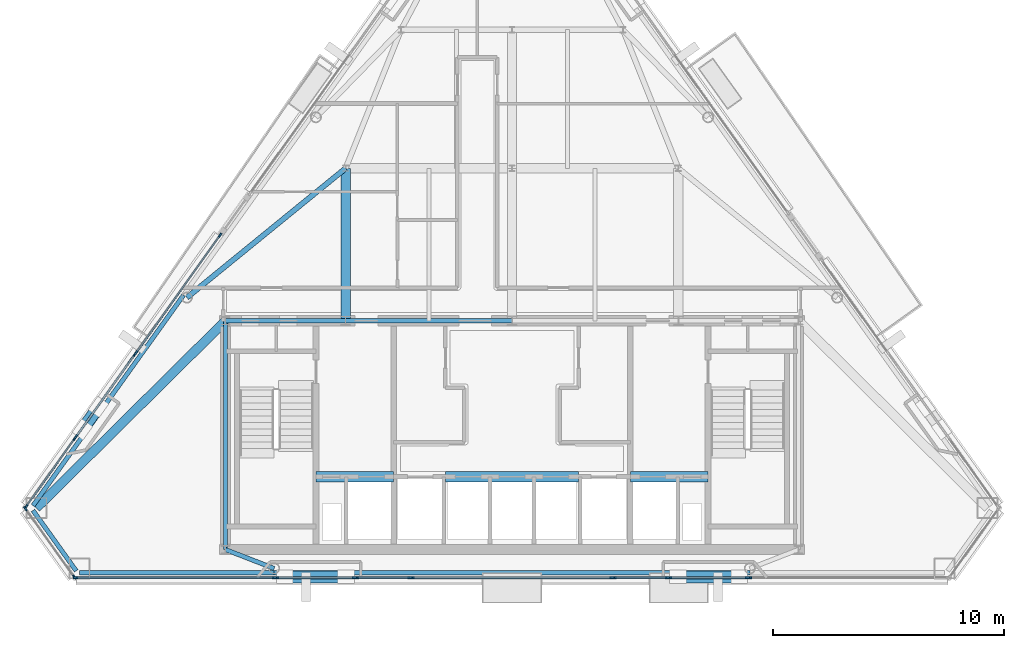
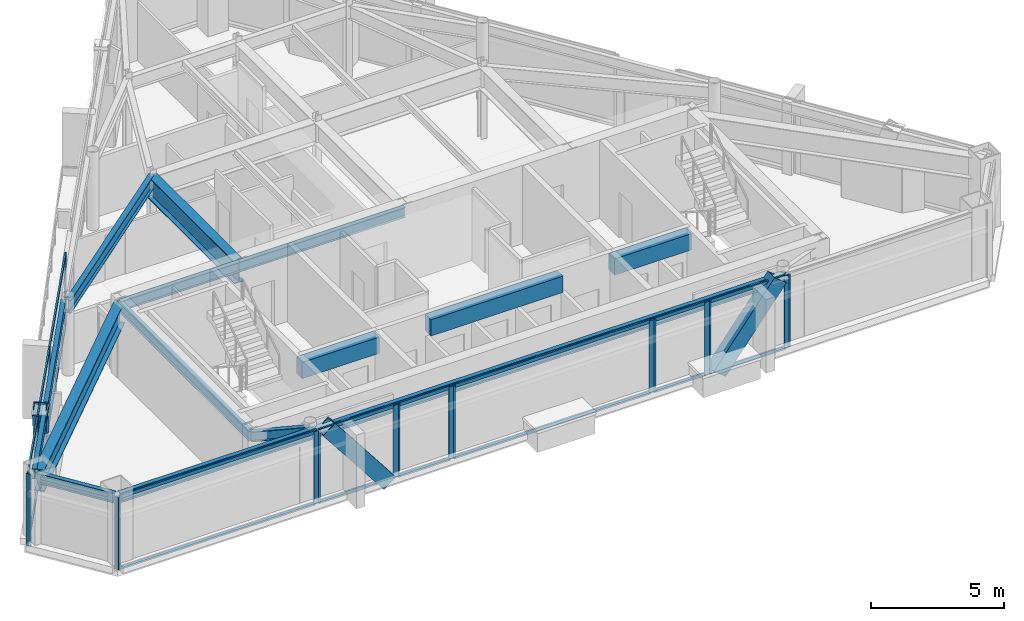
# One storey, part 4 of 12: 42 members, 14 beams, 11 elements without a shape of their own.
"""IFC4 building model written with IfcOpenShell, lengths in metres."""

from ifc_helpers import new_model, si_unit, direction, frame, origin, origin_2d, place, context, subcontext, project, spatial, rectangle, hollow_rectangle, i_section, extrude, material, layer, layer_set, material_profile, profile_set, type_object, element, aggregate, save


model = new_model("IFC4")

# Units and contexts
model_context = context("Model", 3, precision=1e-05, world=origin(), true_north=direction((0.0, 1.0)))
body_context = subcontext(model_context, "Body", "Model", "MODEL_VIEW")
ifc_project = project(units=[si_unit("LENGTHUNIT", "METRE"), si_unit("AREAUNIT", "SQUARE_METRE"), si_unit("VOLUMEUNIT", "CUBIC_METRE"), si_unit("PLANEANGLEUNIT", "RADIAN"), si_unit("MASSUNIT", "GRAM", prefix="KILO")], contexts=[model_context])

# Site, building, storey
site_placement = place(None, origin())
site = spatial("IfcSite", under=ifc_project, at=site_placement, CompositionType="ELEMENT")
building_placement = place(site_placement, origin())
building = spatial("IfcBuilding", under=site, at=building_placement, Name="Talgorran Terracotta Tower", CompositionType="ELEMENT")
storey_placement = place(building_placement, frame((0.0, 0.0, 270.60009765625)))
storey = spatial("IfcBuildingStorey", under=building, at=storey_placement, Name="L71", CompositionType="ELEMENT", Elevation=270.60009765625)

# Beams
ifc_material_1 = material(Name="Steel Grade 350 (350L0)", Category="steel")
ifc_material_profile_1 = material_profile(ifc_material_1, i_section(OverallWidth=0.39990234375, OverallDepth=1.0, WebThickness=0.01611328125, FlangeThickness=0.031005859375, at=origin_2d()), Name="1000WB296")
ifc_profile_set_1 = profile_set([ifc_material_profile_1], Name="Steel Grade 350 (350L0)")
beam_type_1 = type_object("IfcBeamType", Name="BM_1000WB296", PredefinedType="BEAM", material=ifc_profile_set_1)
beam_1_placement = place(storey_placement, frame((-7.199951171875, -4.199951171875, 2.844970703125), z_axis=(0.0, 1.0, 0.0), x_axis=(-1.0, 0.0, 0.0)))
element("IfcBeam", 1, at=beam_1_placement, inside=storey, type_object=beam_type_1, Name="L71 Floor Girder G01", PredefinedType="BEAM", context=body_context, shape_type="SweptSolid", body=[
    extrude(i_section(OverallWidth=0.39990234375, OverallDepth=1.0, WebThickness=0.01611328125, FlangeThickness=0.031005859375, at=origin_2d()), origin(), (0.0, 0.0, 1.0), 6.599853515625),
])
beam_2_placement = place(storey_placement, frame((-12.39990234375, -4.199951171875, 2.844970703125), z_axis=(-0.710637755688, -0.703558085868, 0.0), x_axis=(0.703558085868, -0.710637755688, 0.0)))
element("IfcBeam", 2, at=beam_2_placement, inside=storey, type_object=beam_type_1, Name="L71 Floor Girder G17", PredefinedType="BEAM", context=body_context, shape_type="SweptSolid", body=[
    extrude(i_section(OverallWidth=0.39990234375, OverallDepth=1.0, WebThickness=0.01611328125, FlangeThickness=0.031005859375, at=origin_2d()), origin(), (0.0, 0.0, 1.0), 11.517822265625),
])
ifc_material_2 = material(Name="Steel S355 (300PLUS)", Category="steel")
ifc_material_profile_2 = material_profile(ifc_material_2, i_section(OverallWidth=0.22802734375, OverallDepth=0.60205078125, WebThickness=0.010498046875, FlangeThickness=0.014892578125, at=origin_2d()), Name="610UB101")
ifc_profile_set_2 = profile_set([ifc_material_profile_2], Name="Steel S355 (300PLUS)")
beam_type_2 = type_object("IfcBeamType", Name="BM_610UB101", PredefinedType="BEAM", material=ifc_profile_set_2)
beam_3_placement = place(storey_placement, frame((-7.199951171875, 2.39990234375, 3.0439453125), z_axis=(-0.775393850299, -0.631477930667, 0.0), x_axis=(0.631477930667, -0.775393850299, 0.0)))
element("IfcBeam", 3, at=beam_3_placement, inside=storey, type_object=beam_type_2, Name="L71 Floor Girder G06", PredefinedType="BEAM", context=body_context, shape_type="SweptSolid", body=[
    extrude(i_section(OverallWidth=0.22802734375, OverallDepth=0.60205078125, WebThickness=0.010498046875, FlangeThickness=0.014892578125, at=origin_2d()), origin(), (0.0, 0.0, 1.0), 8.862060546875),
])
ifc_material_3 = material(Name="Concrete C50/60", Category="concrete")
ifc_material_profile_3 = material_profile(ifc_material_3, rectangle(XDim=0.449951171875, YDim=0.75, at=origin_2d()), Name="RCCB450X750")
ifc_profile_set_3 = profile_set([ifc_material_profile_3], Name="Concrete C50/60")
beam_type_3 = type_object("IfcBeamType", Name="BM_CB_450X750", PredefinedType="LINTEL", material=ifc_profile_set_3)
beam_4_placement = place(storey_placement, frame((-8.47998046875, -10.949951171875, 2.969970703125), z_axis=(1.0, 0.0, 0.0), x_axis=(0.0, 1.0, 0.0)))
element("IfcBeam", 4, at=beam_4_placement, inside=storey, type_object=beam_type_3, Name="L71 Core Shear-Wall Coupling Beam CB1", PredefinedType="LINTEL", context=body_context, shape_type="SweptSolid", body=[
    extrude(rectangle(XDim=0.449951171875, YDim=0.75, at=origin_2d()), origin(), (0.0, 0.0, 1.0), 3.35986328125),
])
beam_5_placement = place(storey_placement, frame((-2.8798828125, -10.949951171875, 2.969970703125), z_axis=(1.0, 0.0, 0.0), x_axis=(0.0, 1.0, 0.0)))
element("IfcBeam", 5, at=beam_5_placement, inside=storey, type_object=beam_type_3, Name="L71 Core Shear-Wall Coupling Beam CB2", PredefinedType="LINTEL", context=body_context, shape_type="SweptSolid", body=[
    extrude(rectangle(XDim=0.449951171875, YDim=0.75, at=origin_2d()), origin(), (0.0, 0.0, 1.0), 5.759765625),
])
beam_6_placement = place(storey_placement, frame((5.1201171875, -10.949951171875, 2.969970703125), z_axis=(1.0, 0.0, 0.0), x_axis=(0.0, 1.0, 0.0)))
element("IfcBeam", 6, at=beam_6_placement, inside=storey, type_object=beam_type_3, Name="L71 Core Shear-Wall Coupling Beam CB3", PredefinedType="LINTEL", context=body_context, shape_type="SweptSolid", body=[
    extrude(rectangle(XDim=0.449951171875, YDim=0.75, at=origin_2d()), origin(), (0.0, 0.0, 1.0), 3.35986328125),
])
ifc_material_profile_4 = material_profile(ifc_material_2, i_section(OverallWidth=0.18994140625, OverallDepth=0.45703125, WebThickness=0.009033203125, FlangeThickness=0.014404296875, at=origin_2d()), Name="460UB74.6")
ifc_profile_set_4 = profile_set([ifc_material_profile_4], Name="Steel S355 (300PLUS)")
beam_type_4 = type_object("IfcBeamType", Name="BM_SP_460UB74", PredefinedType="SPANDREL", material=ifc_profile_set_4)
beam_7_placement = place(storey_placement, frame((-20.731201171875, -12.408203125, 3.116455078125), z_axis=(0.581733647308, -0.8133793479, 0.0), x_axis=(0.8133793479, 0.581733647308, 0.0)))
element("IfcBeam", 7, at=beam_7_placement, inside=storey, type_object=beam_type_4, Name="L71 Perimeter Spandrel Beam MC1-MC2", PredefinedType="SPANDREL", context=body_context, shape_type="SweptSolid", body=[
    extrude(i_section(OverallWidth=0.18994140625, OverallDepth=0.45703125, WebThickness=0.009033203125, FlangeThickness=0.014404296875, at=origin_2d()), origin(), (0.0, 0.0, 1.0), 3.215576171875),
])
beam_8_placement = place(storey_placement, frame((-18.71435546875, -15.098876953125, 3.116455078125), z_axis=(1.0, 0.0, 0.0), x_axis=(0.0, 1.0, 0.0)))
element("IfcBeam", 8, at=beam_8_placement, inside=storey, type_object=beam_type_4, Name="L71 Perimeter Spandrel Beam MC2-FC1", PredefinedType="SPANDREL", context=body_context, shape_type="SweptSolid", body=[
    extrude(i_section(OverallWidth=0.18994140625, OverallDepth=0.45703125, WebThickness=0.009033203125, FlangeThickness=0.014404296875, at=origin_2d()), origin(), (0.0, 0.0, 1.0), 8.42138671875),
])
beam_9_placement = place(storey_placement, frame((-10.29296875, -15.098876953125, 3.116455078125), z_axis=(1.0, 0.0, 0.0), x_axis=(0.0, 1.0, 0.0)))
element("IfcBeam", 9, at=beam_9_placement, inside=storey, type_object=beam_type_4, Name="L71 Perimeter Spandrel Beam FC1-FC2", PredefinedType="SPANDREL", context=body_context, shape_type="SweptSolid", body=[
    extrude(i_section(OverallWidth=0.18994140625, OverallDepth=0.45703125, WebThickness=0.009033203125, FlangeThickness=0.014404296875, at=origin_2d()), origin(), (0.0, 0.0, 1.0), 20.5859375),
])
beam_10_placement = place(storey_placement, frame((-14.218017578125, -3.091796875, 3.116455078125), z_axis=(-0.581724880889, -0.813385617622, 0.0), x_axis=(0.813385617622, -0.581724880889, 0.0)))
element("IfcBeam", 10, at=beam_10_placement, inside=storey, type_object=beam_type_4, Name="L71 Perimeter Spandrel Beam FC6-MC1", PredefinedType="SPANDREL", context=body_context, shape_type="SweptSolid", body=[
    extrude(i_section(OverallWidth=0.18994140625, OverallDepth=0.45703125, WebThickness=0.009033203125, FlangeThickness=0.014404296875, at=origin_2d()), origin(), (0.0, 0.0, 1.0), 11.1962890625),
])
beam_11_placement = place(storey_placement, frame((-10.29296875, -14.9189453125, 3.116455078125), z_axis=(-0.932081672707, 0.362248195859, 0.0), x_axis=(-0.362248195859, -0.932081672707, 0.0)))
element("IfcBeam", 11, at=beam_11_placement, inside=storey, type_object=beam_type_4, Name="L71 South-West Core Tie Beam", PredefinedType="SPANDREL", context=body_context, shape_type="SweptSolid", body=[
    extrude(i_section(OverallWidth=0.18994140625, OverallDepth=0.45703125, WebThickness=0.009033203125, FlangeThickness=0.014404296875, at=origin_2d()), origin(), (0.0, 0.0, 1.0), 2.260498046875),
])
beam_12_placement = place(storey_placement, frame((-12.39990234375, -14.10009765625, 3.116455078125), z_axis=(0.0, 1.0, 0.0), x_axis=(-1.0, 0.0, 0.0)))
element("IfcBeam", 12, at=beam_12_placement, inside=storey, type_object=beam_type_4, Name="L71 Core Frame Beam CFW", PredefinedType="SPANDREL", context=body_context, shape_type="SweptSolid", body=[
    extrude(i_section(OverallWidth=0.18994140625, OverallDepth=0.45703125, WebThickness=0.009033203125, FlangeThickness=0.014404296875, at=origin_2d()), origin(), (0.0, 0.0, 1.0), 9.900146484375),
])
beam_13_placement = place(storey_placement, frame((-12.39990234375, -4.199951171875, 3.116455078125), z_axis=(1.0, 0.0, 0.0), x_axis=(0.0, 1.0, 0.0)))
element("IfcBeam", 13, at=beam_13_placement, inside=storey, type_object=beam_type_4, Name="L71 Core Frame Beam CFN1", PredefinedType="SPANDREL", context=body_context, shape_type="SweptSolid", body=[
    extrude(i_section(OverallWidth=0.18994140625, OverallDepth=0.45703125, WebThickness=0.009033203125, FlangeThickness=0.014404296875, at=origin_2d()), origin(), (0.0, 0.0, 1.0), 5.199951171875),
])
beam_14_placement = place(storey_placement, frame((-7.199951171875, -4.199951171875, 3.116455078125), z_axis=(1.0, 0.0, 0.0), x_axis=(0.0, 1.0, 0.0)))
element("IfcBeam", 14, at=beam_14_placement, inside=storey, type_object=beam_type_4, Name="L71 Core Frame Beam CFN2", PredefinedType="SPANDREL", context=body_context, shape_type="SweptSolid", body=[
    extrude(i_section(OverallWidth=0.18994140625, OverallDepth=0.45703125, WebThickness=0.009033203125, FlangeThickness=0.014404296875, at=origin_2d()), origin(), (0.0, 0.0, 1.0), 7.199951171875),
])

# Members
ifc_material_profile_5 = material_profile(ifc_material_1, hollow_rectangle(XDim=0.52001953125, YDim=0.659912109375, WallThickness=0.034912109375, at=origin_2d()), Name="WBOX660X520X35")
ifc_profile_set_5 = profile_set([ifc_material_profile_5], Name="Steel Grade 350 (350L0)")
member_type_1 = type_object("IfcMemberType", Name="MB_MEGA_660", PredefinedType="BRACE", material=ifc_profile_set_5)
for number, where, z_axis, x_axis, name in (
    (15, (-7.181884765625, -15.27880859375, -0.025146484375), (-0.61469036848, 0.0, 0.78876850273), (0.0, -1.0, 0.0), "L71 Exterior Face Mega-Brace MB-3 (SWF)"),
    (16, (7.181884765625, -15.27880859375, -0.025146484375), (0.61469036848, 0.0, 0.78876850273), (0.0, 1.0, 0.0), "L71 Exterior Face Mega-Brace MB-3 (SEF)"),
):
    element("IfcMember", number, at=place(storey_placement, frame(where, z_axis=z_axis, x_axis=x_axis)), inside=storey, type_object=member_type_1, Name=name, PredefinedType="BRACE", context=body_context, shape_type="SweptSolid", body=[
        extrude(hollow_rectangle(XDim=0.52001953125, YDim=0.659912109375, WallThickness=0.034912109375, at=origin_2d()), origin(), (0.0, 0.0, 1.0), 4.30419921875),
    ])
member_1_placement = place(storey_placement, frame((-17.8955078125, -7.92431640625, -0.025146484375), z_axis=(-0.193842884076, -0.271068153387, 0.942839855178), x_axis=(0.813417169156, -0.581680762035, 0.0)))
element("IfcMember", 17, at=member_1_placement, inside=storey, type_object=member_type_1, Name="L71 Exterior Face Mega-Brace MB-3 (NWL)", PredefinedType="BRACE", context=body_context, shape_type="SweptSolid", body=[
    extrude(hollow_rectangle(XDim=0.52001953125, YDim=0.659912109375, WallThickness=0.034912109375, at=origin_2d()), origin(), (0.0, 0.0, 1.0), 3.600830078125),
])

# Curtain wall, members
ifc_material_4 = material(Name="High-Wind Unitised Glazing", Category="glass")
ifc_layer = layer(ifc_material_4, 0.2099609375, Name="CW_SYS3_RES_HIGH")
ifc_layer_set = layer_set([ifc_layer], Name="High-Wind Unitised Glazing")
curtain_wall_type = type_object("IfcCurtainWallType", Name="CW_SYS3_RES_HIGH", PredefinedType="NOTDEFINED", material=ifc_layer_set)
curtain_wall_1_placement = place(storey_placement, origin())
curtain_wall_1 = element("IfcCurtainWall", 18, at=curtain_wall_1_placement, inside=storey, type_object=curtain_wall_type, Name="CW-L71-F0", PredefinedType="NOTDEFINED")
ifc_material_5 = material(Name="Architectural Aluminium 6063-T6", Category="aluminium")
ifc_material_profile_6 = material_profile(ifc_material_5, rectangle(XDim=0.070068359375, YDim=0.199951171875, at=origin_2d()), Name="CWM70X200")
ifc_profile_set_6 = profile_set([ifc_material_profile_6], Name="Architectural Aluminium 6063-T6")
member_type_2 = type_object("IfcMemberType", Name="MUL_70X200", PredefinedType="MULLION", material=ifc_profile_set_6)
member_2_placement = place(storey_placement, frame((-21.056396484375, -12.33203125, 0.0), z_axis=(0.0, 0.0, 1.0), x_axis=(0.813370623345, 0.581745845777, 0.0)))
member_2 = element("IfcMember", 19, at=member_2_placement, type_object=member_type_2, Name="CW-L71-0 mullion 1", PredefinedType="MULLION", context=body_context, shape_type="SweptSolid", body=[
    extrude(rectangle(XDim=0.070068359375, YDim=0.199951171875, at=origin_2d()), origin(), (0.0, 0.0, 1.0), 3.344970703125),
])
member_3_placement = place(storey_placement, frame((-18.9404296875, -15.29052734375, 0.0), z_axis=(0.0, 0.0, 1.0), x_axis=(0.813370623345, 0.581745845777, 0.0)))
member_3 = element("IfcMember", 20, at=member_3_placement, type_object=member_type_2, Name="CW-L71-0 mullion 2", PredefinedType="MULLION", context=body_context, shape_type="SweptSolid", body=[
    extrude(rectangle(XDim=0.070068359375, YDim=0.199951171875, at=origin_2d()), origin(), (0.0, 0.0, 1.0), 3.344970703125),
])
aggregate(curtain_wall_1, [member_2, member_3])

curtain_wall_2_placement = place(storey_placement, origin())
curtain_wall_2 = element("IfcCurtainWall", 21, at=curtain_wall_2_placement, inside=storey, type_object=curtain_wall_type, Name="CW-L71-F1", PredefinedType="NOTDEFINED")
member_4_placement = place(storey_placement, frame((-18.885009765625, -15.31884765625, 0.0), z_axis=(0.0, 0.0, 1.0), x_axis=(0.0, 1.0, 0.0)))
member_4 = element("IfcMember", 22, at=member_4_placement, type_object=member_type_2, Name="CW-L71-1 mullion 1", PredefinedType="MULLION", context=body_context, shape_type="SweptSolid", body=[
    extrude(rectangle(XDim=0.070068359375, YDim=0.199951171875, at=origin_2d()), origin(), (0.0, 0.0, 1.0), 3.344970703125),
])
member_5_placement = place(storey_placement, frame((-10.278076171875, -15.31884765625, 0.0), z_axis=(0.0, 0.0, 1.0), x_axis=(0.0, 1.0, 0.0)))
member_5 = element("IfcMember", 23, at=member_5_placement, type_object=member_type_2, Name="CW-L71-1 mullion 2", PredefinedType="MULLION", context=body_context, shape_type="SweptSolid", body=[
    extrude(rectangle(XDim=0.070068359375, YDim=0.199951171875, at=origin_2d()), origin(), (0.0, 0.0, 1.0), 3.344970703125),
])

curtain_wall_3_placement = place(storey_placement, origin())
curtain_wall_3 = element("IfcCurtainWall", 24, at=curtain_wall_3_placement, inside=storey, type_object=curtain_wall_type, Name="CW-L71-F1B", PredefinedType="NOTDEFINED")
member_6_placement = place(storey_placement, frame((-10.197998046875, -15.31884765625, 0.0), z_axis=(0.0, 0.0, 1.0), x_axis=(0.0, 1.0, 0.0)))
member_6 = element("IfcMember", 25, at=member_6_placement, type_object=member_type_2, Name="CW-L71-1B mullion 1", PredefinedType="MULLION", context=body_context, shape_type="SweptSolid", body=[
    extrude(rectangle(XDim=0.070068359375, YDim=0.199951171875, at=origin_2d()), origin(), (0.0, 0.0, 1.0), 3.344970703125),
])
member_7_placement = place(storey_placement, frame((-6.8115234375, -15.31884765625, 0.0), z_axis=(0.0, 0.0, 1.0), x_axis=(0.0, 1.0, 0.0)))
member_7 = element("IfcMember", 26, at=member_7_placement, type_object=member_type_2, Name="CW-L71-1B mullion 2", PredefinedType="MULLION", context=body_context, shape_type="SweptSolid", body=[
    extrude(rectangle(XDim=0.070068359375, YDim=0.199951171875, at=origin_2d()), origin(), (0.0, 0.0, 1.0), 3.344970703125),
])

curtain_wall_4_placement = place(storey_placement, origin())
curtain_wall_4 = element("IfcCurtainWall", 27, at=curtain_wall_4_placement, inside=storey, type_object=curtain_wall_type, Name="CW-L71-F1C", PredefinedType="NOTDEFINED")
member_8_placement = place(storey_placement, frame((-6.7314453125, -15.31884765625, 0.0), z_axis=(0.0, 0.0, 1.0), x_axis=(0.0, 1.0, 0.0)))
member_8 = element("IfcMember", 28, at=member_8_placement, type_object=member_type_2, Name="CW-L71-1C mullion 1", PredefinedType="MULLION", context=body_context, shape_type="SweptSolid", body=[
    extrude(rectangle(XDim=0.070068359375, YDim=0.199951171875, at=origin_2d()), origin(), (0.0, 0.0, 1.0), 3.344970703125),
])
member_9_placement = place(storey_placement, frame((-4.406494140625, -15.31884765625, 0.0), z_axis=(0.0, 0.0, 1.0), x_axis=(0.0, 1.0, 0.0)))
member_9 = element("IfcMember", 29, at=member_9_placement, type_object=member_type_2, Name="CW-L71-1C mullion 2", PredefinedType="MULLION", context=body_context, shape_type="SweptSolid", body=[
    extrude(rectangle(XDim=0.070068359375, YDim=0.199951171875, at=origin_2d()), origin(), (0.0, 0.0, 1.0), 3.344970703125),
])

curtain_wall_5_placement = place(storey_placement, origin())
curtain_wall_5 = element("IfcCurtainWall", 30, at=curtain_wall_5_placement, inside=storey, type_object=curtain_wall_type, Name="CW-L71-F1D", PredefinedType="NOTDEFINED")
member_10_placement = place(storey_placement, frame((-4.326416015625, -15.31884765625, 0.0), z_axis=(0.0, 0.0, 1.0), x_axis=(0.0, 1.0, 0.0)))
member_10 = element("IfcMember", 31, at=member_10_placement, type_object=member_type_2, Name="CW-L71-1D mullion 1", PredefinedType="MULLION", context=body_context, shape_type="SweptSolid", body=[
    extrude(rectangle(XDim=0.070068359375, YDim=0.199951171875, at=origin_2d()), origin(), (0.0, 0.0, 1.0), 3.344970703125),
])
member_11_placement = place(storey_placement, frame((4.326416015625, -15.31884765625, 0.0), z_axis=(0.0, 0.0, 1.0), x_axis=(0.0, 1.0, 0.0)))
member_11 = element("IfcMember", 32, at=member_11_placement, type_object=member_type_2, Name="CW-L71-1D mullion 2", PredefinedType="MULLION", context=body_context, shape_type="SweptSolid", body=[
    extrude(rectangle(XDim=0.070068359375, YDim=0.199951171875, at=origin_2d()), origin(), (0.0, 0.0, 1.0), 3.344970703125),
])

curtain_wall_6_placement = place(storey_placement, origin())
curtain_wall_6 = element("IfcCurtainWall", 33, at=curtain_wall_6_placement, inside=storey, type_object=curtain_wall_type, Name="CW-L71-F1E", PredefinedType="NOTDEFINED")
member_12_placement = place(storey_placement, frame((4.406494140625, -15.31884765625, 0.0), z_axis=(0.0, 0.0, 1.0), x_axis=(0.0, 1.0, 0.0)))
member_12 = element("IfcMember", 34, at=member_12_placement, type_object=member_type_2, Name="CW-L71-1E mullion 1", PredefinedType="MULLION", context=body_context, shape_type="SweptSolid", body=[
    extrude(rectangle(XDim=0.070068359375, YDim=0.199951171875, at=origin_2d()), origin(), (0.0, 0.0, 1.0), 3.344970703125),
])
member_13_placement = place(storey_placement, frame((6.7314453125, -15.31884765625, 0.0), z_axis=(0.0, 0.0, 1.0), x_axis=(0.0, 1.0, 0.0)))
member_13 = element("IfcMember", 35, at=member_13_placement, type_object=member_type_2, Name="CW-L71-1E mullion 2", PredefinedType="MULLION", context=body_context, shape_type="SweptSolid", body=[
    extrude(rectangle(XDim=0.070068359375, YDim=0.199951171875, at=origin_2d()), origin(), (0.0, 0.0, 1.0), 3.344970703125),
])

curtain_wall_7_placement = place(storey_placement, origin())
curtain_wall_7 = element("IfcCurtainWall", 36, at=curtain_wall_7_placement, inside=storey, type_object=curtain_wall_type, Name="CW-L71-F1F", PredefinedType="NOTDEFINED")
member_14_placement = place(storey_placement, frame((6.8115234375, -15.31884765625, 0.0), z_axis=(0.0, 0.0, 1.0), x_axis=(0.0, 1.0, 0.0)))
member_14 = element("IfcMember", 37, at=member_14_placement, type_object=member_type_2, Name="CW-L71-1F mullion 1", PredefinedType="MULLION", context=body_context, shape_type="SweptSolid", body=[
    extrude(rectangle(XDim=0.070068359375, YDim=0.199951171875, at=origin_2d()), origin(), (0.0, 0.0, 1.0), 3.344970703125),
])
member_15_placement = place(storey_placement, frame((10.197998046875, -15.31884765625, 0.0), z_axis=(0.0, 0.0, 1.0), x_axis=(0.0, 1.0, 0.0)))
member_15 = element("IfcMember", 38, at=member_15_placement, type_object=member_type_2, Name="CW-L71-1F mullion 2", PredefinedType="MULLION", context=body_context, shape_type="SweptSolid", body=[
    extrude(rectangle(XDim=0.070068359375, YDim=0.199951171875, at=origin_2d()), origin(), (0.0, 0.0, 1.0), 3.344970703125),
])

# Curtain wall, member
curtain_wall_8_placement = place(storey_placement, origin())
curtain_wall_8 = element("IfcCurtainWall", 39, at=curtain_wall_8_placement, inside=storey, type_object=curtain_wall_type, Name="CW-L71-F1G", PredefinedType="NOTDEFINED")
member_16_placement = place(storey_placement, frame((10.278076171875, -15.31884765625, 0.0), z_axis=(0.0, 0.0, 1.0), x_axis=(0.0, 1.0, 0.0)))
member_16 = element("IfcMember", 40, at=member_16_placement, type_object=member_type_2, Name="CW-L71-1G mullion 1", PredefinedType="MULLION", context=body_context, shape_type="SweptSolid", body=[
    extrude(rectangle(XDim=0.070068359375, YDim=0.199951171875, at=origin_2d()), origin(), (0.0, 0.0, 1.0), 3.344970703125),
])
aggregate(curtain_wall_8, [member_16])

# Curtain wall, members
curtain_wall_9_placement = place(storey_placement, origin())
curtain_wall_9 = element("IfcCurtainWall", 41, at=curtain_wall_9_placement, inside=storey, type_object=curtain_wall_type, Name="CW-L71-F61", PredefinedType="NOTDEFINED")
member_17_placement = place(storey_placement, frame((-12.632080078125, -0.496337890625, 0.0), z_axis=(0.0, 0.0, 1.0), x_axis=(0.813388374406, -0.58172102625, 0.0)))
member_17 = element("IfcMember", 42, at=member_17_placement, type_object=member_type_2, Name="CW-L71-61 mullion 1", PredefinedType="MULLION", context=body_context, shape_type="SweptSolid", body=[
    extrude(rectangle(XDim=0.070068359375, YDim=0.199951171875, at=origin_2d()), origin(), (0.0, 0.0, 1.0), 3.344970703125),
])
member_18_placement = place(storey_placement, frame((-16.271728515625, -5.58544921875, 0.0), z_axis=(0.0, 0.0, 1.0), x_axis=(0.813388374406, -0.58172102625, 0.0)))
member_18 = element("IfcMember", 43, at=member_18_placement, type_object=member_type_2, Name="CW-L71-61 mullion 2", PredefinedType="MULLION", context=body_context, shape_type="SweptSolid", body=[
    extrude(rectangle(XDim=0.070068359375, YDim=0.199951171875, at=origin_2d()), origin(), (0.0, 0.0, 1.0), 3.344970703125),
])

curtain_wall_10_placement = place(storey_placement, origin())
curtain_wall_10 = element("IfcCurtainWall", 44, at=curtain_wall_10_placement, inside=storey, type_object=curtain_wall_type, Name="CW-L71-F61B", PredefinedType="NOTDEFINED")
member_19_placement = place(storey_placement, frame((-16.318359375, -5.650390625, 0.0), z_axis=(0.0, 0.0, 1.0), x_axis=(0.813380180125, -0.58173248369, 0.0)))
member_19 = element("IfcMember", 45, at=member_19_placement, type_object=member_type_2, Name="CW-L71-61B mullion 1", PredefinedType="MULLION", context=body_context, shape_type="SweptSolid", body=[
    extrude(rectangle(XDim=0.070068359375, YDim=0.199951171875, at=origin_2d()), origin(), (0.0, 0.0, 1.0), 3.344970703125),
])
member_20_placement = place(storey_placement, frame((-18.87109375, -9.2197265625, 0.0), z_axis=(0.0, 0.0, 1.0), x_axis=(0.813380180125, -0.58173248369, 0.0)))
member_20 = element("IfcMember", 46, at=member_20_placement, type_object=member_type_2, Name="CW-L71-61B mullion 2", PredefinedType="MULLION", context=body_context, shape_type="SweptSolid", body=[
    extrude(rectangle(XDim=0.070068359375, YDim=0.199951171875, at=origin_2d()), origin(), (0.0, 0.0, 1.0), 3.344970703125),
])

curtain_wall_11_placement = place(storey_placement, origin())
curtain_wall_11 = element("IfcCurtainWall", 47, at=curtain_wall_11_placement, inside=storey, type_object=curtain_wall_type, Name="CW-L71-F61C", PredefinedType="NOTDEFINED")
member_21_placement = place(storey_placement, frame((-18.917724609375, -9.28466796875, 0.0), z_axis=(0.0, 0.0, 1.0), x_axis=(0.813383305425, -0.581728113861, 0.0)))
member_21 = element("IfcMember", 48, at=member_21_placement, type_object=member_type_2, Name="CW-L71-61C mullion 1", PredefinedType="MULLION", context=body_context, shape_type="SweptSolid", body=[
    extrude(rectangle(XDim=0.070068359375, YDim=0.199951171875, at=origin_2d()), origin(), (0.0, 0.0, 1.0), 3.344970703125),
])
member_22_placement = place(storey_placement, frame((-21.032958984375, -12.242431640625, 0.0), z_axis=(0.0, 0.0, 1.0), x_axis=(0.813383305425, -0.581728113861, 0.0)))
member_22 = element("IfcMember", 49, at=member_22_placement, type_object=member_type_2, Name="CW-L71-61C mullion 2", PredefinedType="MULLION", context=body_context, shape_type="SweptSolid", body=[
    extrude(rectangle(XDim=0.070068359375, YDim=0.199951171875, at=origin_2d()), origin(), (0.0, 0.0, 1.0), 3.344970703125),
])

# Member
ifc_material_profile_7 = material_profile(ifc_material_5, rectangle(XDim=0.070068359375, YDim=0.159912109375, at=origin_2d()), Name="CWT70X160")
ifc_profile_set_7 = profile_set([ifc_material_profile_7], Name="Architectural Aluminium 6063-T6")
member_type_3 = type_object("IfcMemberType", Name="TRN_70X160", PredefinedType="USERDEFINED", material=ifc_profile_set_7)
member_23_placement = place(storey_placement, frame((-18.85009765625, -15.31884765625, 0.034912109375), z_axis=(1.0, 0.0, 0.0), x_axis=(0.0, 1.0, 0.0)))
member_23 = element("IfcMember", 50, at=member_23_placement, type_object=member_type_3, Name="CW-L71-1 transom 1.1", ObjectType="TRANSOM", PredefinedType="USERDEFINED", context=body_context, shape_type="SweptSolid", body=[
    extrude(rectangle(XDim=0.070068359375, YDim=0.159912109375, at=origin_2d()), origin(), (0.0, 0.0, 1.0), 8.537109375),
])

member_24_placement = place(storey_placement, frame((-18.85009765625, -15.31884765625, 3.309814453125), z_axis=(1.0, 0.0, 0.0), x_axis=(0.0, 1.0, 0.0)))
member_24 = element("IfcMember", 51, at=member_24_placement, type_object=member_type_3, Name="CW-L71-1 transom 1.2", ObjectType="TRANSOM", PredefinedType="USERDEFINED", context=body_context, shape_type="SweptSolid", body=[
    extrude(rectangle(XDim=0.070068359375, YDim=0.159912109375, at=origin_2d()), origin(), (0.0, 0.0, 1.0), 8.537109375),
])

aggregate(curtain_wall_2, [member_4, member_5, member_23, member_24])

member_25_placement = place(storey_placement, frame((-10.1630859375, -15.31884765625, 0.034912109375), z_axis=(1.0, 0.0, 0.0), x_axis=(0.0, 1.0, 0.0)))
member_25 = element("IfcMember", 52, at=member_25_placement, type_object=member_type_3, Name="CW-L71-1B transom 1.1", ObjectType="TRANSOM", PredefinedType="USERDEFINED", context=body_context, shape_type="SweptSolid", body=[
    extrude(rectangle(XDim=0.070068359375, YDim=0.159912109375, at=origin_2d()), origin(), (0.0, 0.0, 1.0), 3.316650390625),
])

member_26_placement = place(storey_placement, frame((-10.1630859375, -15.31884765625, 3.309814453125), z_axis=(1.0, 0.0, 0.0), x_axis=(0.0, 1.0, 0.0)))
member_26 = element("IfcMember", 53, at=member_26_placement, type_object=member_type_3, Name="CW-L71-1B transom 1.2", ObjectType="TRANSOM", PredefinedType="USERDEFINED", context=body_context, shape_type="SweptSolid", body=[
    extrude(rectangle(XDim=0.070068359375, YDim=0.159912109375, at=origin_2d()), origin(), (0.0, 0.0, 1.0), 3.316650390625),
])

aggregate(curtain_wall_3, [member_6, member_7, member_25, member_26])

member_27_placement = place(storey_placement, frame((-6.696533203125, -15.31884765625, 0.034912109375), z_axis=(1.0, 0.0, 0.0), x_axis=(0.0, 1.0, 0.0)))
member_27 = element("IfcMember", 54, at=member_27_placement, type_object=member_type_3, Name="CW-L71-1C transom 1.1", ObjectType="TRANSOM", PredefinedType="USERDEFINED", context=body_context, shape_type="SweptSolid", body=[
    extrude(rectangle(XDim=0.070068359375, YDim=0.159912109375, at=origin_2d()), origin(), (0.0, 0.0, 1.0), 2.255126953125),
])

member_28_placement = place(storey_placement, frame((-6.696533203125, -15.31884765625, 3.309814453125), z_axis=(1.0, 0.0, 0.0), x_axis=(0.0, 1.0, 0.0)))
member_28 = element("IfcMember", 55, at=member_28_placement, type_object=member_type_3, Name="CW-L71-1C transom 1.2", ObjectType="TRANSOM", PredefinedType="USERDEFINED", context=body_context, shape_type="SweptSolid", body=[
    extrude(rectangle(XDim=0.070068359375, YDim=0.159912109375, at=origin_2d()), origin(), (0.0, 0.0, 1.0), 2.255126953125),
])

aggregate(curtain_wall_4, [member_8, member_9, member_27, member_28])

member_29_placement = place(storey_placement, frame((-4.29150390625, -15.31884765625, 0.034912109375), z_axis=(1.0, 0.0, 0.0), x_axis=(0.0, 1.0, 0.0)))
member_29 = element("IfcMember", 56, at=member_29_placement, type_object=member_type_3, Name="CW-L71-1D transom 1.1", ObjectType="TRANSOM", PredefinedType="USERDEFINED", context=body_context, shape_type="SweptSolid", body=[
    extrude(rectangle(XDim=0.070068359375, YDim=0.159912109375, at=origin_2d()), origin(), (0.0, 0.0, 1.0), 8.5830078125),
])

member_30_placement = place(storey_placement, frame((-4.29150390625, -15.31884765625, 3.309814453125), z_axis=(1.0, 0.0, 0.0), x_axis=(0.0, 1.0, 0.0)))
member_30 = element("IfcMember", 57, at=member_30_placement, type_object=member_type_3, Name="CW-L71-1D transom 1.2", ObjectType="TRANSOM", PredefinedType="USERDEFINED", context=body_context, shape_type="SweptSolid", body=[
    extrude(rectangle(XDim=0.070068359375, YDim=0.159912109375, at=origin_2d()), origin(), (0.0, 0.0, 1.0), 8.5830078125),
])

aggregate(curtain_wall_5, [member_10, member_11, member_29, member_30])

member_31_placement = place(storey_placement, frame((4.44140625, -15.31884765625, 0.034912109375), z_axis=(1.0, 0.0, 0.0), x_axis=(0.0, 1.0, 0.0)))
member_31 = element("IfcMember", 58, at=member_31_placement, type_object=member_type_3, Name="CW-L71-1E transom 1.1", ObjectType="TRANSOM", PredefinedType="USERDEFINED", context=body_context, shape_type="SweptSolid", body=[
    extrude(rectangle(XDim=0.070068359375, YDim=0.159912109375, at=origin_2d()), origin(), (0.0, 0.0, 1.0), 2.255126953125),
])

member_32_placement = place(storey_placement, frame((4.44140625, -15.31884765625, 3.309814453125), z_axis=(1.0, 0.0, 0.0), x_axis=(0.0, 1.0, 0.0)))
member_32 = element("IfcMember", 59, at=member_32_placement, type_object=member_type_3, Name="CW-L71-1E transom 1.2", ObjectType="TRANSOM", PredefinedType="USERDEFINED", context=body_context, shape_type="SweptSolid", body=[
    extrude(rectangle(XDim=0.070068359375, YDim=0.159912109375, at=origin_2d()), origin(), (0.0, 0.0, 1.0), 2.255126953125),
])

aggregate(curtain_wall_6, [member_12, member_13, member_31, member_32])

member_33_placement = place(storey_placement, frame((6.846435546875, -15.31884765625, 0.034912109375), z_axis=(1.0, 0.0, 0.0), x_axis=(0.0, 1.0, 0.0)))
member_33 = element("IfcMember", 60, at=member_33_placement, type_object=member_type_3, Name="CW-L71-1F transom 1.1", ObjectType="TRANSOM", PredefinedType="USERDEFINED", context=body_context, shape_type="SweptSolid", body=[
    extrude(rectangle(XDim=0.070068359375, YDim=0.159912109375, at=origin_2d()), origin(), (0.0, 0.0, 1.0), 3.316650390625),
])

member_34_placement = place(storey_placement, frame((6.846435546875, -15.31884765625, 3.309814453125), z_axis=(1.0, 0.0, 0.0), x_axis=(0.0, 1.0, 0.0)))
member_34 = element("IfcMember", 61, at=member_34_placement, type_object=member_type_3, Name="CW-L71-1F transom 1.2", ObjectType="TRANSOM", PredefinedType="USERDEFINED", context=body_context, shape_type="SweptSolid", body=[
    extrude(rectangle(XDim=0.070068359375, YDim=0.159912109375, at=origin_2d()), origin(), (0.0, 0.0, 1.0), 3.316650390625),
])

aggregate(curtain_wall_7, [member_14, member_15, member_33, member_34])

member_35_placement = place(storey_placement, frame((-12.652587890625, -0.524658203125, 0.034912109375), z_axis=(-0.581712174656, -0.813394704837, 0.0), x_axis=(0.813394704837, -0.581712174656, 0.0)))
member_35 = element("IfcMember", 62, at=member_35_placement, type_object=member_type_3, Name="CW-L71-61 transom 1.1", ObjectType="TRANSOM", PredefinedType="USERDEFINED", context=body_context, shape_type="SweptSolid", body=[
    extrude(rectangle(XDim=0.070068359375, YDim=0.159912109375, at=origin_2d()), origin(), (0.0, 0.0, 1.0), 6.186767578125),
])

member_36_placement = place(storey_placement, frame((-12.652587890625, -0.524658203125, 3.309814453125), z_axis=(-0.581712174656, -0.813394704837, 0.0), x_axis=(0.813394704837, -0.581712174656, 0.0)))
member_36 = element("IfcMember", 63, at=member_36_placement, type_object=member_type_3, Name="CW-L71-61 transom 1.2", ObjectType="TRANSOM", PredefinedType="USERDEFINED", context=body_context, shape_type="SweptSolid", body=[
    extrude(rectangle(XDim=0.070068359375, YDim=0.159912109375, at=origin_2d()), origin(), (0.0, 0.0, 1.0), 6.186767578125),
])

aggregate(curtain_wall_9, [member_17, member_18, member_35, member_36])

member_37_placement = place(storey_placement, frame((-16.3388671875, -5.678955078125, 0.034912109375), z_axis=(-0.581735480409, -0.813378036852, 0.0), x_axis=(0.813378036852, -0.581735480409, 0.0)))
member_37 = element("IfcMember", 64, at=member_37_placement, type_object=member_type_3, Name="CW-L71-61B transom 1.1", ObjectType="TRANSOM", PredefinedType="USERDEFINED", context=body_context, shape_type="SweptSolid", body=[
    extrude(rectangle(XDim=0.070068359375, YDim=0.159912109375, at=origin_2d()), origin(), (0.0, 0.0, 1.0), 4.318115234375),
])

member_38_placement = place(storey_placement, frame((-16.3388671875, -5.678955078125, 3.309814453125), z_axis=(-0.581735480409, -0.813378036852, 0.0), x_axis=(0.813378036852, -0.581735480409, 0.0)))
member_38 = element("IfcMember", 65, at=member_38_placement, type_object=member_type_3, Name="CW-L71-61B transom 1.2", ObjectType="TRANSOM", PredefinedType="USERDEFINED", context=body_context, shape_type="SweptSolid", body=[
    extrude(rectangle(XDim=0.070068359375, YDim=0.159912109375, at=origin_2d()), origin(), (0.0, 0.0, 1.0), 4.318115234375),
])

aggregate(curtain_wall_10, [member_19, member_20, member_37, member_38])

member_39_placement = place(storey_placement, frame((-18.93798828125, -9.313232421875, 0.034912109375), z_axis=(-0.581730223056, -0.813381796934, 0.0), x_axis=(0.813381796934, -0.581730223056, 0.0)))
member_39 = element("IfcMember", 66, at=member_39_placement, type_object=member_type_3, Name="CW-L71-61C transom 1.1", ObjectType="TRANSOM", PredefinedType="USERDEFINED", context=body_context, shape_type="SweptSolid", body=[
    extrude(rectangle(XDim=0.070068359375, YDim=0.159912109375, at=origin_2d()), origin(), (0.0, 0.0, 1.0), 3.56640625),
])

member_40_placement = place(storey_placement, frame((-18.93798828125, -9.313232421875, 3.309814453125), z_axis=(-0.581730223056, -0.813381796934, 0.0), x_axis=(0.813381796934, -0.581730223056, 0.0)))
member_40 = element("IfcMember", 67, at=member_40_placement, type_object=member_type_3, Name="CW-L71-61C transom 1.2", ObjectType="TRANSOM", PredefinedType="USERDEFINED", context=body_context, shape_type="SweptSolid", body=[
    extrude(rectangle(XDim=0.070068359375, YDim=0.159912109375, at=origin_2d()), origin(), (0.0, 0.0, 1.0), 3.56640625),
])

aggregate(curtain_wall_11, [member_21, member_22, member_39, member_40])

save(model, "model.ifc")
